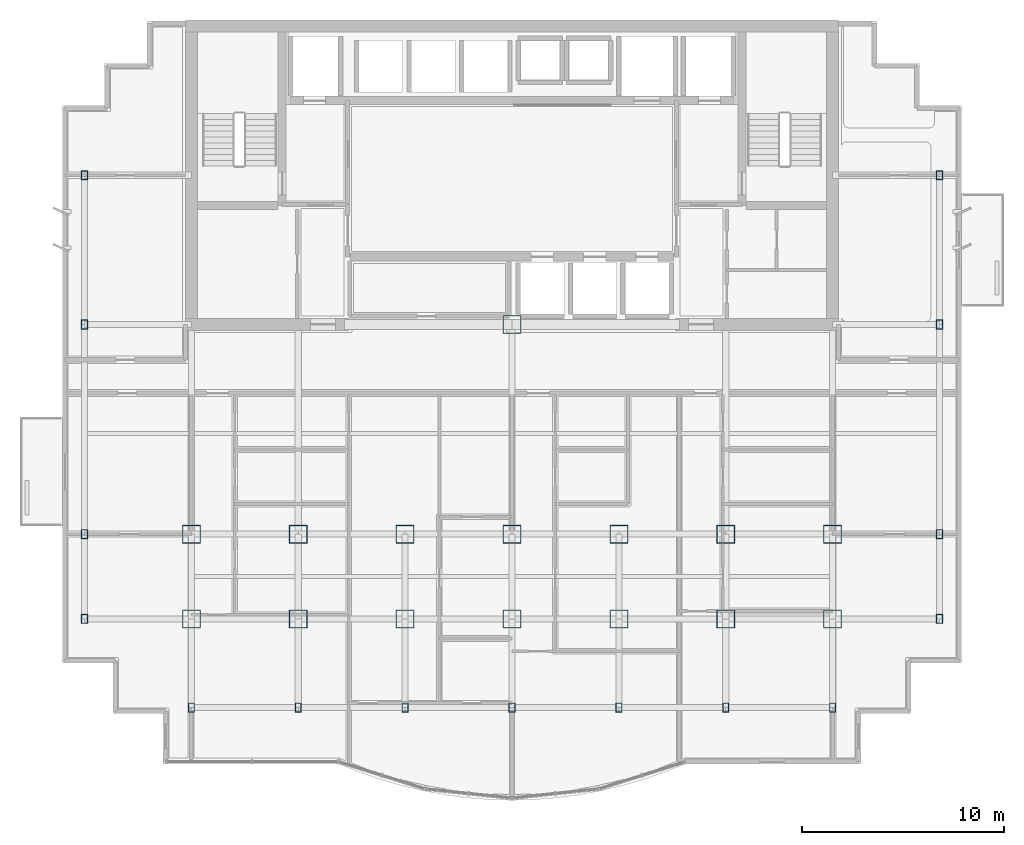
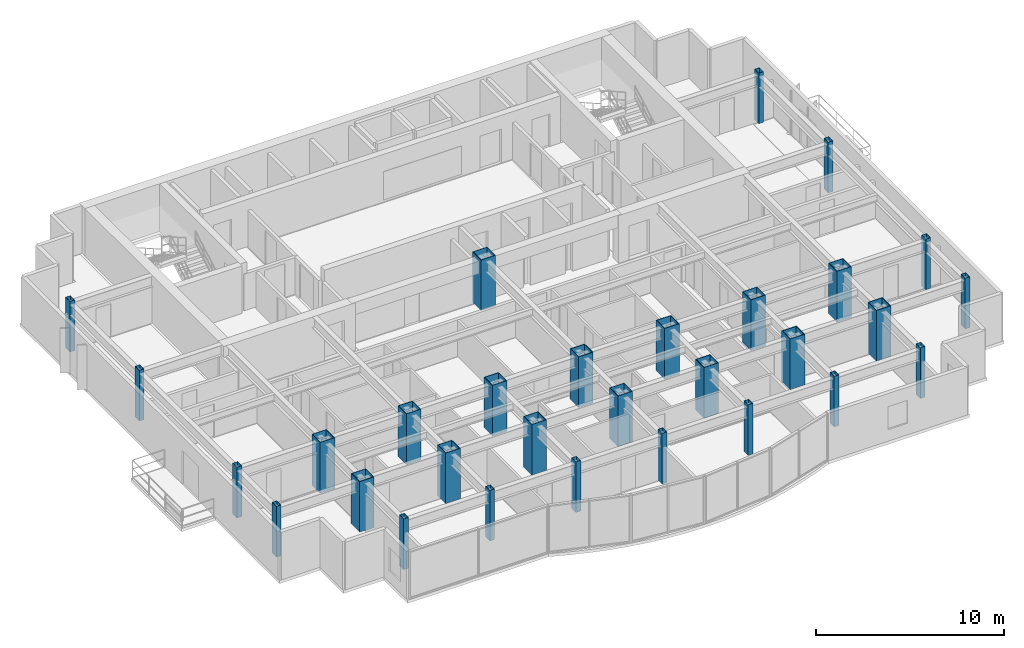
# One storey, part 1 of 11: 30 columns.
"""IFC4 building model written with IfcOpenShell, lengths in metres."""

from ifc_helpers import new_model, si_unit, direction, frame, origin, origin_2d, place, context, subcontext, project, spatial, hollow_rectangle, extrude, material, material_profile, profile_set, type_object, element, save


model = new_model("IFC4")

# Units and contexts
model_context = context("Model", 3, precision=1e-05, world=origin(), true_north=direction((0.0, 1.0)))
body_context = subcontext(model_context, "Body", "Model", "MODEL_VIEW")
ifc_project = project(units=[si_unit("LENGTHUNIT", "METRE"), si_unit("AREAUNIT", "SQUARE_METRE"), si_unit("VOLUMEUNIT", "CUBIC_METRE"), si_unit("PLANEANGLEUNIT", "RADIAN"), si_unit("MASSUNIT", "GRAM", prefix="KILO")], contexts=[model_context])

# Site, building, storey
site_placement = place(None, origin())
site = spatial("IfcSite", under=ifc_project, at=site_placement, CompositionType="ELEMENT")
building_placement = place(site_placement, origin())
building = spatial("IfcBuilding", under=site, at=building_placement, Name="Qianlan Lanfeng Residences", CompositionType="ELEMENT")
storey_placement = place(building_placement, frame((0.0, 0.0, 152.39990234375)))
storey = spatial("IfcBuildingStorey", under=building, at=storey_placement, Name="L41", CompositionType="ELEMENT", Elevation=152.39990234375)

# Columns
ifc_material = material(Name="Steel SN490B", Category="steel")
ifc_material_profile_1 = material_profile(ifc_material, hollow_rectangle(XDim=0.89990234375, YDim=0.89990234375, WallThickness=0.031982421875, at=origin_2d()), Name="BOX 900x900x32")
ifc_profile_set_1 = profile_set([ifc_material_profile_1], Name="Steel SN490B")
column_type_1 = type_object("IfcColumnType", Name="C-B1000", PredefinedType="COLUMN", material=ifc_profile_set_1)
for number, where, z_axis, x_axis, name in (
    (1, (26.5, 25.199951171875, 0.0), (0.0, 0.0, 1.0), (1.0, 0.0, 0.0), "L41 Structural Column CP_26.5_25.2"),
    (2, (10.60009765625, 14.800048828125, 0.0), (0.0, 0.0, 1.0), (1.0, 0.0, 0.0), "L41 Structural Column M_10.60_14.80"),
    (3, (10.60009765625, 10.60009765625, 0.0), (0.0, 0.0, 1.0), (1.0, 0.0, 0.0), "L41 Structural Column G_10.60_10.60"),
    (4, (15.89990234375, 14.800048828125, 0.0), (0.0, 0.0, 1.0), (1.0, 0.0, 0.0), "L41 Structural Column M_15.90_14.80"),
    (5, (15.89990234375, 10.60009765625, 0.0), (0.0, 0.0, 1.0), (1.0, 0.0, 0.0), "L41 Structural Column G_15.90_10.60"),
    (6, (21.199951171875, 14.800048828125, 0.0), (0.0, 0.0, 1.0), (1.0, 0.0, 0.0), "L41 Structural Column M_21.20_14.80"),
    (7, (21.199951171875, 10.60009765625, 0.0), (0.0, 0.0, 1.0), (1.0, 0.0, 0.0), "L41 Structural Column G_21.20_10.60"),
    (8, (26.5, 14.800048828125, 0.0), (0.0, 0.0, 1.0), (1.0, 0.0, 0.0), "L41 Structural Column M_26.50_14.80"),
    (9, (26.5, 10.60009765625, 0.0), (0.0, 0.0, 1.0), (1.0, 0.0, 0.0), "L41 Structural Column G_26.50_10.60"),
    (10, (31.800048828125, 14.800048828125, 0.0), (0.0, 0.0, 1.0), (1.0, 0.0, 0.0), "L41 Structural Column M_31.80_14.80"),
    (11, (31.800048828125, 10.60009765625, 0.0), (0.0, 0.0, 1.0), (1.0, 0.0, 0.0), "L41 Structural Column G_31.80_10.60"),
    (12, (37.10009765625, 14.800048828125, 0.0), (0.0, 0.0, 1.0), (1.0, 0.0, 0.0), "L41 Structural Column M_37.10_14.80"),
    (13, (37.10009765625, 10.60009765625, 0.0), (0.0, 0.0, 1.0), (1.0, 0.0, 0.0), "L41 Structural Column G_37.10_10.60"),
    (14, (42.39990234375, 14.800048828125, 0.0), (0.0, 0.0, 1.0), (1.0, 0.0, 0.0), "L41 Structural Column M_42.40_14.80"),
    (15, (42.39990234375, 10.60009765625, 0.0), (0.0, 0.0, 1.0), (1.0, 0.0, 0.0), "L41 Structural Column G_42.40_10.60"),
):
    element("IfcColumn", number, at=place(storey_placement, frame(where, z_axis=z_axis, x_axis=x_axis)), inside=storey, type_object=column_type_1, Name=name, PredefinedType="COLUMN", context=body_context, shape_type="SweptSolid", body=[
        extrude(hollow_rectangle(XDim=0.89990234375, YDim=0.89990234375, WallThickness=0.031982421875, at=origin_2d()), origin(), (0.0, 0.0, 1.0), 3.300048828125),
    ])
ifc_material_profile_2 = material_profile(ifc_material, hollow_rectangle(XDim=0.300048828125, YDim=0.449951171875, WallThickness=0.01611328125, at=origin_2d()), Name="RHS 450x300x16")
ifc_profile_set_2 = profile_set([ifc_material_profile_2], Name="Steel SN490B")
column_type_2 = type_object("IfcColumnType", Name="CE-B950", PredefinedType="COLUMN", material=ifc_profile_set_2)
for number, where, z_axis, x_axis, name in (
    (16, (10.60009765625, 6.199951171875, 0.0), (0.0, 0.0, 1.0), (1.0, 0.0, 0.0), "L41 Structural Column S_10.60_6.20"),
    (17, (15.89990234375, 6.199951171875, 0.0), (0.0, 0.0, 1.0), (1.0, 0.0, 0.0), "L41 Structural Column S_15.90_6.20"),
    (18, (21.199951171875, 6.199951171875, 0.0), (0.0, 0.0, 1.0), (1.0, 0.0, 0.0), "L41 Structural Column S_21.20_6.20"),
    (19, (26.5, 6.199951171875, 0.0), (0.0, 0.0, 1.0), (1.0, 0.0, 0.0), "L41 Structural Column S_26.50_6.20"),
    (20, (31.800048828125, 6.199951171875, 0.0), (0.0, 0.0, 1.0), (1.0, 0.0, 0.0), "L41 Structural Column S_31.80_6.20"),
    (21, (37.10009765625, 6.199951171875, 0.0), (0.0, 0.0, 1.0), (1.0, 0.0, 0.0), "L41 Structural Column S_37.10_6.20"),
    (22, (42.39990234375, 6.199951171875, 0.0), (0.0, 0.0, 1.0), (1.0, 0.0, 0.0), "L41 Structural Column S_42.40_6.20"),
    (23, (5.300048828125, 10.60009765625, 0.0), (0.0, 0.0, 1.0), (1.0, 0.0, 0.0), "L41 Structural Column W_5.30_10.60"),
    (24, (5.300048828125, 14.800048828125, 0.0), (0.0, 0.0, 1.0), (1.0, 0.0, 0.0), "L41 Structural Column W_5.30_14.80"),
    (25, (5.300048828125, 25.199951171875, 0.0), (0.0, 0.0, 1.0), (1.0, 0.0, 0.0), "L41 Structural Column W_5.30_25.20"),
    (26, (5.300048828125, 32.60009765625, 0.0), (0.0, 0.0, 1.0), (1.0, 0.0, 0.0), "L41 Structural Column W_5.30_32.60"),
    (27, (47.699951171875, 10.60009765625, 0.0), (0.0, 0.0, 1.0), (1.0, 0.0, 0.0), "L41 Structural Column W_47.70_10.60"),
    (28, (47.699951171875, 14.800048828125, 0.0), (0.0, 0.0, 1.0), (1.0, 0.0, 0.0), "L41 Structural Column W_47.70_14.80"),
    (29, (47.699951171875, 25.199951171875, 0.0), (0.0, 0.0, 1.0), (1.0, 0.0, 0.0), "L41 Structural Column W_47.70_25.20"),
    (30, (47.699951171875, 32.60009765625, 0.0), (0.0, 0.0, 1.0), (1.0, 0.0, 0.0), "L41 Structural Column W_47.70_32.60"),
):
    element("IfcColumn", number, at=place(storey_placement, frame(where, z_axis=z_axis, x_axis=x_axis)), inside=storey, type_object=column_type_2, Name=name, PredefinedType="COLUMN", context=body_context, shape_type="SweptSolid", body=[
        extrude(hollow_rectangle(XDim=0.300048828125, YDim=0.449951171875, WallThickness=0.01611328125, at=origin_2d()), origin(), (0.0, 0.0, 1.0), 3.300048828125),
    ])

save(model, "model.ifc")
